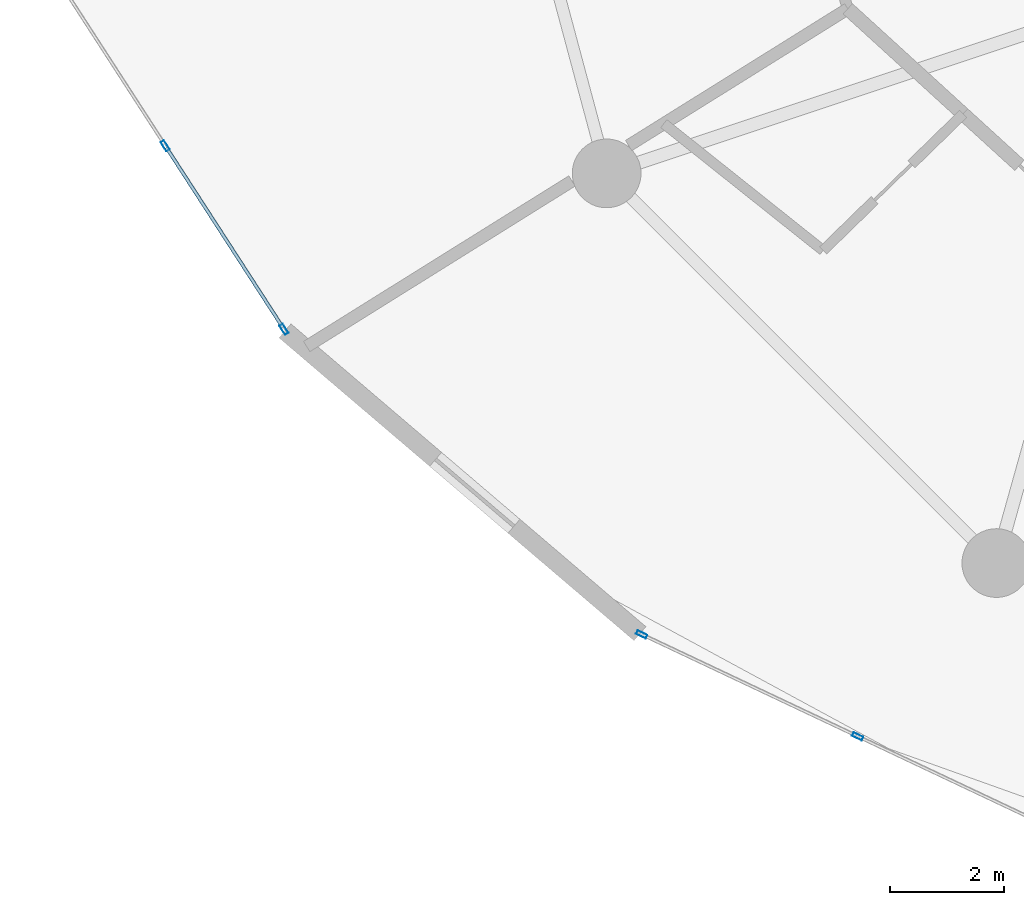
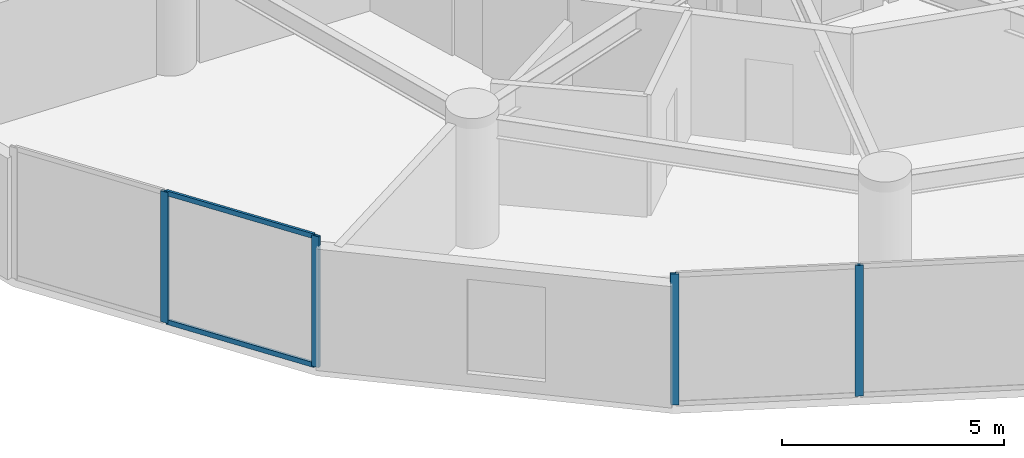
# One storey, part 2 of 26: 6 members, 2 elements without a shape of their own.
"""IFC4 building model written with IfcOpenShell, lengths in metres."""

from ifc_helpers import new_model, si_unit, direction, frame, origin, origin_2d, place, context, subcontext, project, spatial, hollow_rectangle, extrude, source, transform, mapped, material, layer, layer_set, material_profile, profile_set, type_object, element, aggregate, save


model = new_model("IFC4")

# Units and contexts
model_context = context("Model", 3, precision=1e-05, world=origin(), true_north=direction((0.0, 1.0)))
body_context = subcontext(model_context, "Body", "Model", "MODEL_VIEW")
ifc_project = project(units=[si_unit("LENGTHUNIT", "METRE"), si_unit("AREAUNIT", "SQUARE_METRE"), si_unit("VOLUMEUNIT", "CUBIC_METRE"), si_unit("PLANEANGLEUNIT", "RADIAN"), si_unit("MASSUNIT", "GRAM", prefix="KILO")], contexts=[model_context])

# Site, building, storey
site_placement = place(None, origin())
site = spatial("IfcSite", under=ifc_project, at=site_placement, CompositionType="ELEMENT")
building_placement = place(site_placement, origin())
building = spatial("IfcBuilding", under=site, at=building_placement, Name="Solvirekh Grand Hotel", CompositionType="ELEMENT")
storey_placement = place(building_placement, frame((0.0, 0.0, 68.0)))
storey = spatial("IfcBuildingStorey", under=building, at=storey_placement, Name="L16", CompositionType="ELEMENT", Elevation=68.0)

# Curtain wall, members
ifc_material = material(Name="Anodized Bronze Aluminium 6063-T6", Category="aluminium")
ifc_layer = layer(ifc_material, 0.18994140625)
ifc_layer_set = layer_set([ifc_layer], Name="Anodized Bronze Aluminium 6063-T6")
curtain_wall_type = type_object("IfcCurtainWallType", Name="CW_Sys2_LowZoneFlushBronzeCW", PredefinedType="NOTDEFINED", material=ifc_layer_set)
curtain_wall_1_placement = place(storey_placement, origin())
curtain_wall_1 = element("IfcCurtainWall", 1, at=curtain_wall_1_placement, inside=storey, type_object=curtain_wall_type, Name="L16 unitised bronze-glass curtain wall CW-L16-C13", PredefinedType="NOTDEFINED")
ifc_material_profile_1 = material_profile(ifc_material, hollow_rectangle(XDim=0.070068359375, YDim=0.18994140625, WallThickness=0.0048828125, at=origin_2d()), Name="ALU RHS 190X70X5")
ifc_profile_set_1 = profile_set([ifc_material_profile_1], Name="Anodized Bronze Aluminium 6063-T6")
member_type_1 = type_object("IfcMemberType", Name="CWMullion_Sys2", PredefinedType="MULLION", material=ifc_profile_set_1)
shared_shape_1 = source(origin(), body_context, "Body", "SweptSolid", [
    extrude(hollow_rectangle(XDim=0.070068359375, YDim=0.18994140625, WallThickness=0.0048828125, at=origin_2d()), origin(), (0.0, 0.0, 1.0), 3.60009765625),
])
member_1_placement = place(storey_placement, frame((-23.820068359375, -8.8173828125, 0.0), z_axis=(0.0, 0.0, 1.0), x_axis=(0.839559711127, 0.543267421675, 0.0)))
member_1 = element("IfcMember", 2, at=member_1_placement, type_object=member_type_1, Name="U02 mullion 2", PredefinedType="MULLION", context=body_context, shape_type="MappedRepresentation", body=[
    mapped(shared_shape_1, transform((0.0, 0.0, 0.0), x_axis=(1.0, 0.0, 0.0), y_axis=(0.0, 1.0, 0.0), z_axis=(0.0, 0.0, 1.0), scale=1.0)),
])
member_2_placement = place(storey_placement, frame((-21.74609375, -12.022705078125, 0.0), z_axis=(0.0, 0.0, 1.0), x_axis=(0.839559711127, 0.543267421675, 0.0)))
member_2 = element("IfcMember", 3, at=member_2_placement, type_object=member_type_1, Name="U02 mullion 3", PredefinedType="MULLION", context=body_context, shape_type="MappedRepresentation", body=[
    mapped(shared_shape_1, transform((0.0, 0.0, 0.0), x_axis=(1.0, 0.0, 0.0), y_axis=(0.0, 1.0, 0.0), z_axis=(0.0, 0.0, 1.0), scale=1.0)),
])

curtain_wall_2_placement = place(storey_placement, origin())
curtain_wall_2 = element("IfcCurtainWall", 4, at=curtain_wall_2_placement, inside=storey, type_object=curtain_wall_type, Name="L16 unitised bronze-glass curtain wall CW-L16-C15", PredefinedType="NOTDEFINED")
member_3_placement = place(storey_placement, frame((-15.495361328125, -17.35595703125, 0.0), z_axis=(0.0, 0.0, 1.0), x_axis=(0.426941513035, 0.904279240306, 0.0)))
member_3 = element("IfcMember", 5, at=member_3_placement, type_object=member_type_1, Name="U02 mullion 1", PredefinedType="MULLION", context=body_context, shape_type="MappedRepresentation", body=[
    mapped(shared_shape_1, transform((0.0, 0.0, 0.0), x_axis=(1.0, 0.0, 0.0), y_axis=(0.0, 1.0, 0.0), z_axis=(0.0, 0.0, 1.0), scale=1.0)),
])
member_4_placement = place(storey_placement, frame((-11.722900390625, -19.136962890625, 0.0), z_axis=(0.0, 0.0, 1.0), x_axis=(0.426941513035, 0.904279240306, 0.0)))
member_4 = element("IfcMember", 6, at=member_4_placement, type_object=member_type_1, Name="U02 mullion 2", PredefinedType="MULLION", context=body_context, shape_type="MappedRepresentation", body=[
    mapped(shared_shape_1, transform((0.0, 0.0, 0.0), x_axis=(1.0, 0.0, 0.0), y_axis=(0.0, 1.0, 0.0), z_axis=(0.0, 0.0, 1.0), scale=1.0)),
])
aggregate(curtain_wall_2, [member_3, member_4])

# Member
ifc_material_profile_2 = material_profile(ifc_material, hollow_rectangle(XDim=0.06005859375, YDim=0.135009765625, WallThickness=0.00390625, at=origin_2d()), Name="ALU RHS 135X60X4")
ifc_profile_set_2 = profile_set([ifc_material_profile_2], Name="Anodized Bronze Aluminium 6063-T6")
member_type_2 = type_object("IfcMemberType", Name="CWTransom_Sys2", PredefinedType="USERDEFINED", material=ifc_profile_set_2)
shared_shape_2 = source(origin(), body_context, "Body", "SweptSolid", [
    extrude(hollow_rectangle(XDim=0.06005859375, YDim=0.135009765625, WallThickness=0.00390625, at=origin_2d()), origin(), (0.0, 0.0, 1.0), 3.74755859375),
])
member_5_placement = place(storey_placement, frame((-23.801025390625, -8.846923828125, 0.030029296875), z_axis=(0.543267485557, -0.839559669789, 0.0), x_axis=(0.839559669789, 0.543267485557, 0.0)))
member_5 = element("IfcMember", 7, at=member_5_placement, type_object=member_type_2, Name="U02 transom 2.1", ObjectType="TRANSOM", PredefinedType="USERDEFINED", context=body_context, shape_type="MappedRepresentation", body=[
    mapped(shared_shape_2, transform((0.0, 0.0, 0.0), x_axis=(1.0, 0.0, 0.0), y_axis=(0.0, 1.0, 0.0), z_axis=(0.0, 0.0, 1.0), scale=1.0)),
])

member_6_placement = place(storey_placement, frame((-23.801025390625, -8.846923828125, 3.570068359375), z_axis=(0.543267485557, -0.839559669789, 0.0), x_axis=(0.839559669789, 0.543267485557, 0.0)))
member_6 = element("IfcMember", 8, at=member_6_placement, type_object=member_type_2, Name="U02 transom 2.2", ObjectType="TRANSOM", PredefinedType="USERDEFINED", context=body_context, shape_type="MappedRepresentation", body=[
    mapped(shared_shape_2, transform((0.0, 0.0, 0.0), x_axis=(1.0, 0.0, 0.0), y_axis=(0.0, 1.0, 0.0), z_axis=(0.0, 0.0, 1.0), scale=1.0)),
])

aggregate(curtain_wall_1, [member_1, member_2, member_5, member_6])

save(model, "model.ifc")
